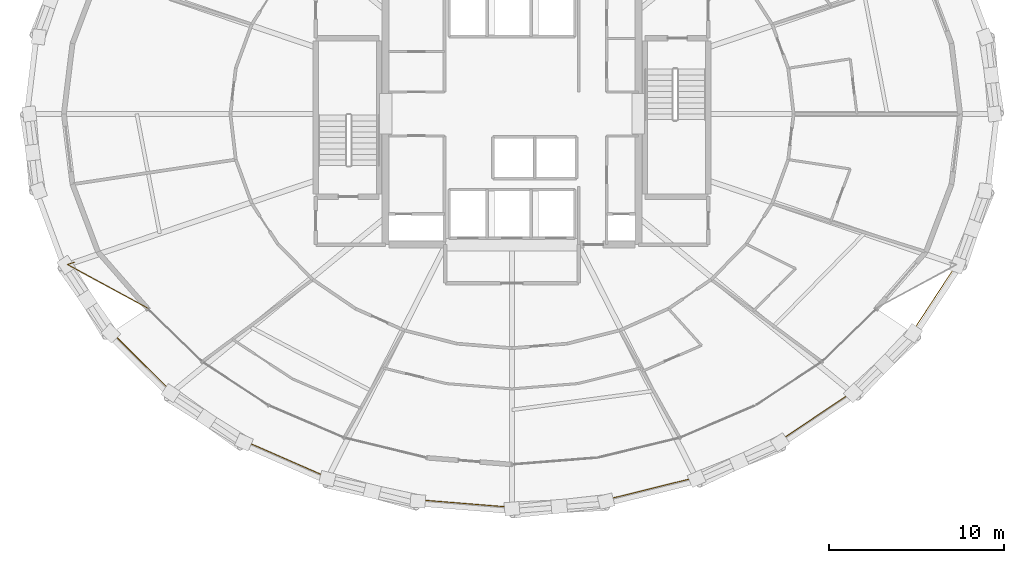
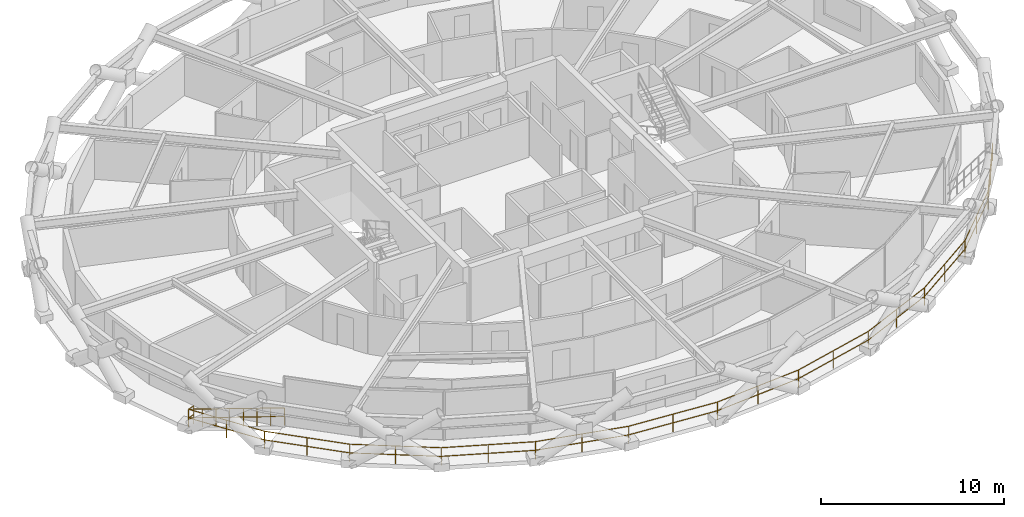
# One storey, part 16 of 17: 2 railings.
"""IFC4 building model written with IfcOpenShell, lengths in metres."""

from ifc_helpers import new_model, si_unit, direction, frame, origin, origin_2d, place, context, subcontext, project, spatial, circle, extrude, material, type_object, element, save


model = new_model("IFC4")

# Units and contexts
model_context = context("Model", 3, precision=1e-05, world=origin(), true_north=direction((0.0, 1.0)))
body_context = subcontext(model_context, "Body", "Model", "MODEL_VIEW")
ifc_project = project(units=[si_unit("LENGTHUNIT", "METRE"), si_unit("AREAUNIT", "SQUARE_METRE"), si_unit("VOLUMEUNIT", "CUBIC_METRE"), si_unit("PLANEANGLEUNIT", "RADIAN"), si_unit("MASSUNIT", "GRAM", prefix="KILO")], contexts=[model_context])

# Site, building, storey
site_placement = place(None, origin())
site = spatial("IfcSite", under=ifc_project, at=site_placement, CompositionType="ELEMENT")
building_placement = place(site_placement, origin())
building = spatial("IfcBuilding", under=site, at=building_placement, Name="Veldorina Hangang Commons", CompositionType="ELEMENT")
storey_placement = place(building_placement, frame((0.0, 0.0, 30.39990234375)))
storey = spatial("IfcBuildingStorey", under=building, at=storey_placement, Name="L06", CompositionType="ELEMENT", Elevation=30.39990234375)

# Railings
ifc_material = material(Name="Glass Laminated Safety Balustrade", Category="glass")
railing_type = type_object("IfcRailingType", Name="RL-BAL-LOGGIA", PredefinedType="BALUSTRADE", material=ifc_material)
railing_1_placement = place(storey_placement, frame((7.06689453125, 15.550048828125, 0.0)))
element("IfcRailing", 1, at=railing_1_placement, inside=storey, type_object=railing_type, Name="L06 sky-garden loggia end balustrade A", PredefinedType="BALUSTRADE", context=body_context, shape_type="SweptSolid", body=[
    extrude(circle(Radius=0.02392578125, at=origin_2d()), frame((0.0, 0.0, 1.17578125), z_axis=(-0.947101827143, -0.320933215828, 0.0), x_axis=(0.320933215828, -0.947101827143, 0.0)), (0.0, 0.0, 1.0), 0.419921875),
    extrude(circle(Radius=0.02392578125, at=origin_2d()), frame((0.0, 0.0, 0.60009765625), z_axis=(-0.947101827143, -0.320933215828, 0.0), x_axis=(0.320933215828, -0.947101827143, 0.0)), (0.0, 0.0, 1.0), 0.419921875),
    extrude(circle(Radius=0.02392578125, at=origin_2d()), frame((-0.397705078125, -0.134765625, 1.17578125), z_axis=(0.878721986398, -0.477333919411, 0.0), x_axis=(0.477333919411, 0.878721986398, 0.0)), (0.0, 0.0, 1.0), 5.230224609375),
    extrude(circle(Radius=0.02392578125, at=origin_2d()), frame((-0.397705078125, -0.134765625, 0.60009765625), z_axis=(0.878721986398, -0.477333919411, 0.0), x_axis=(0.477333919411, 0.878721986398, 0.0)), (0.0, 0.0, 1.0), 5.230224609375),
    extrude(circle(Radius=0.02099609375, at=origin_2d()), origin(), (0.0, 0.0, 1.0), 1.15185546875),
    extrude(circle(Radius=0.02099609375, at=origin_2d()), frame((-0.397705078125, -0.134765625, 0.0)), (0.0, 0.0, 1.0), 1.15185546875),
    extrude(circle(Radius=0.02099609375, at=origin_2d()), frame((0.2587890625, -0.491455078125, 0.0)), (0.0, 0.0, 1.0), 1.15185546875),
    extrude(circle(Radius=0.02099609375, at=origin_2d()), frame((0.91552734375, -0.84814453125, 0.0)), (0.0, 0.0, 1.0), 1.15185546875),
    extrude(circle(Radius=0.02099609375, at=origin_2d()), frame((1.572021484375, -1.204833984375, 0.0)), (0.0, 0.0, 1.0), 1.15185546875),
    extrude(circle(Radius=0.02099609375, at=origin_2d()), frame((2.228515625, -1.561279296875, 0.0)), (0.0, 0.0, 1.0), 1.15185546875),
    extrude(circle(Radius=0.02099609375, at=origin_2d()), frame((2.885009765625, -1.91796875, 0.0)), (0.0, 0.0, 1.0), 1.15185546875),
    extrude(circle(Radius=0.02099609375, at=origin_2d()), frame((3.541748046875, -2.274658203125, 0.0)), (0.0, 0.0, 1.0), 1.15185546875),
    extrude(circle(Radius=0.02099609375, at=origin_2d()), frame((4.1982421875, -2.63134765625, 0.0)), (0.0, 0.0, 1.0), 1.15185546875),
])
railing_2_placement = place(storey_placement, frame((6.669189453125, 15.415283203125, 0.0)))
element("IfcRailing", 2, at=railing_2_placement, inside=storey, type_object=railing_type, Name="L06 sky-garden loggia outer balustrade", PredefinedType="BALUSTRADE", context=body_context, shape_type="SweptSolid", body=[
    extrude(circle(Radius=0.02392578125, at=origin_2d()), frame((0.0, 0.0, 1.17578125), z_axis=(0.54733313274, -0.836914835455, 0.0), x_axis=(0.836914835455, 0.54733313274, 0.0)), (0.0, 0.0, 1.0), 4.6328125),
    extrude(circle(Radius=0.02392578125, at=origin_2d()), frame((0.0, 0.0, 0.60009765625), z_axis=(0.54733313274, -0.836914835455, 0.0), x_axis=(0.836914835455, 0.54733313274, 0.0)), (0.0, 0.0, 1.0), 4.6328125),
    extrude(circle(Radius=0.02392578125, at=origin_2d()), frame((2.53564453125, -3.877197265625, 1.17578125), z_axis=(0.708601100728, -0.705609297025, 0.0), x_axis=(0.705609297025, 0.708601100728, 0.0)), (0.0, 0.0, 1.0), 4.814697265625),
    extrude(circle(Radius=0.02392578125, at=origin_2d()), frame((2.53564453125, -3.877197265625, 0.60009765625), z_axis=(0.708601100728, -0.705609297025, 0.0), x_axis=(0.705609297025, 0.708601100728, 0.0)), (0.0, 0.0, 1.0), 4.814697265625),
    extrude(circle(Radius=0.02392578125, at=origin_2d()), frame((5.947265625, -7.2744140625, 1.17578125), z_axis=(0.830553550442, -0.556938775674, 0.0), x_axis=(0.556938775674, 0.830553550442, 0.0)), (0.0, 0.0, 1.0), 5.00390625),
    extrude(circle(Radius=0.02392578125, at=origin_2d()), frame((5.947265625, -7.2744140625, 0.60009765625), z_axis=(0.830553550442, -0.556938775674, 0.0), x_axis=(0.556938775674, 0.830553550442, 0.0)), (0.0, 0.0, 1.0), 5.00390625),
    extrude(circle(Radius=0.02392578125, at=origin_2d()), frame((10.103271484375, -10.061279296875, 1.17578125), z_axis=(0.916427971173, -0.40019966723, 0.0), x_axis=(0.40019966723, 0.916427971173, 0.0)), (0.0, 0.0, 1.0), 5.171875),
    extrude(circle(Radius=0.02392578125, at=origin_2d()), frame((10.103271484375, -10.061279296875, 0.60009765625), z_axis=(0.916427971173, -0.40019966723, 0.0), x_axis=(0.40019966723, 0.916427971173, 0.0)), (0.0, 0.0, 1.0), 5.171875),
    extrude(circle(Radius=0.02392578125, at=origin_2d()), frame((14.843017578125, -12.131103515625, 1.17578125), z_axis=(0.970639296272, -0.240539719242, 0.0), x_axis=(0.240539719242, 0.970639296272, 0.0)), (0.0, 0.0, 1.0), 5.297119140625),
    extrude(circle(Radius=0.02392578125, at=origin_2d()), frame((14.843017578125, -12.131103515625, 0.60009765625), z_axis=(0.970639296272, -0.240539719242, 0.0), x_axis=(0.240539719242, 0.970639296272, 0.0)), (0.0, 0.0, 1.0), 5.297119140625),
    extrude(circle(Radius=0.02392578125, at=origin_2d()), frame((19.984619140625, -13.4052734375, 1.17578125), z_axis=(0.996782048005, -0.080159520803, 0.0), x_axis=(0.080159520803, 0.996782048005, 0.0)), (0.0, 0.0, 1.0), 5.363525390625),
    extrude(circle(Radius=0.02392578125, at=origin_2d()), frame((19.984619140625, -13.4052734375, 0.60009765625), z_axis=(0.996782048005, -0.080159520803, 0.0), x_axis=(0.080159520803, 0.996782048005, 0.0)), (0.0, 0.0, 1.0), 5.363525390625),
    extrude(circle(Radius=0.02392578125, at=origin_2d()), frame((25.330810546875, -13.835205078125, 1.17578125), z_axis=(0.996782048005, 0.080159520803, 0.0), x_axis=(-0.080159520803, 0.996782048005, 0.0)), (0.0, 0.0, 1.0), 5.363525390625),
    extrude(circle(Radius=0.02392578125, at=origin_2d()), frame((25.330810546875, -13.835205078125, 0.60009765625), z_axis=(0.996782048005, 0.080159520803, 0.0), x_axis=(-0.080159520803, 0.996782048005, 0.0)), (0.0, 0.0, 1.0), 5.363525390625),
    extrude(circle(Radius=0.02392578125, at=origin_2d()), frame((30.677001953125, -13.4052734375, 1.17578125), z_axis=(0.970639296272, 0.240539719242, 0.0), x_axis=(-0.240539719242, 0.970639296272, 0.0)), (0.0, 0.0, 1.0), 5.297119140625),
    extrude(circle(Radius=0.02392578125, at=origin_2d()), frame((30.677001953125, -13.4052734375, 0.60009765625), z_axis=(0.970639296272, 0.240539719242, 0.0), x_axis=(-0.240539719242, 0.970639296272, 0.0)), (0.0, 0.0, 1.0), 5.297119140625),
    extrude(circle(Radius=0.02392578125, at=origin_2d()), frame((35.818603515625, -12.131103515625, 1.17578125), z_axis=(0.916427971173, 0.40019966723, 0.0), x_axis=(-0.40019966723, 0.916427971173, 0.0)), (0.0, 0.0, 1.0), 5.171875),
    extrude(circle(Radius=0.02392578125, at=origin_2d()), frame((35.818603515625, -12.131103515625, 0.60009765625), z_axis=(0.916427971173, 0.40019966723, 0.0), x_axis=(-0.40019966723, 0.916427971173, 0.0)), (0.0, 0.0, 1.0), 5.171875),
    extrude(circle(Radius=0.02392578125, at=origin_2d()), frame((40.558349609375, -10.061279296875, 1.17578125), z_axis=(0.830553550442, 0.556938775674, 0.0), x_axis=(-0.556938775674, 0.830553550442, 0.0)), (0.0, 0.0, 1.0), 5.00390625),
    extrude(circle(Radius=0.02392578125, at=origin_2d()), frame((40.558349609375, -10.061279296875, 0.60009765625), z_axis=(0.830553550442, 0.556938775674, 0.0), x_axis=(-0.556938775674, 0.830553550442, 0.0)), (0.0, 0.0, 1.0), 5.00390625),
    extrude(circle(Radius=0.02392578125, at=origin_2d()), frame((44.71435546875, -7.2744140625, 1.17578125), z_axis=(0.708601100728, 0.705609297025, 0.0), x_axis=(-0.705609297025, 0.708601100728, 0.0)), (0.0, 0.0, 1.0), 4.814697265625),
    extrude(circle(Radius=0.02392578125, at=origin_2d()), frame((44.71435546875, -7.2744140625, 0.60009765625), z_axis=(0.708601100728, 0.705609297025, 0.0), x_axis=(-0.705609297025, 0.708601100728, 0.0)), (0.0, 0.0, 1.0), 4.814697265625),
    extrude(circle(Radius=0.02392578125, at=origin_2d()), frame((48.1259765625, -3.877197265625, 1.17578125), z_axis=(0.54733313274, 0.836914835455, 0.0), x_axis=(-0.836914835455, 0.54733313274, 0.0)), (0.0, 0.0, 1.0), 4.6328125),
    extrude(circle(Radius=0.02392578125, at=origin_2d()), frame((48.1259765625, -3.877197265625, 0.60009765625), z_axis=(0.54733313274, 0.836914835455, 0.0), x_axis=(-0.836914835455, 0.54733313274, 0.0)), (0.0, 0.0, 1.0), 4.6328125),
    extrude(circle(Radius=0.02099609375, at=origin_2d()), origin(), (0.0, 0.0, 1.0), 1.15185546875),
    extrude(circle(Radius=0.02099609375, at=origin_2d()), frame((1.267822265625, -1.9384765625, 0.0)), (0.0, 0.0, 1.0), 1.15185546875),
    extrude(circle(Radius=0.02099609375, at=origin_2d()), frame((2.53564453125, -3.877197265625, 0.0)), (0.0, 0.0, 1.0), 1.15185546875),
    extrude(circle(Radius=0.02099609375, at=origin_2d()), frame((4.241455078125, -5.57568359375, 0.0)), (0.0, 0.0, 1.0), 1.15185546875),
    extrude(circle(Radius=0.02099609375, at=origin_2d()), frame((5.947265625, -7.2744140625, 0.0)), (0.0, 0.0, 1.0), 1.15185546875),
    extrude(circle(Radius=0.02099609375, at=origin_2d()), frame((8.025390625, -8.66796875, 0.0)), (0.0, 0.0, 1.0), 1.15185546875),
    extrude(circle(Radius=0.02099609375, at=origin_2d()), frame((10.103271484375, -10.061279296875, 0.0)), (0.0, 0.0, 1.0), 1.15185546875),
    extrude(circle(Radius=0.02099609375, at=origin_2d()), frame((12.47314453125, -11.09619140625, 0.0)), (0.0, 0.0, 1.0), 1.15185546875),
    extrude(circle(Radius=0.02099609375, at=origin_2d()), frame((14.843017578125, -12.131103515625, 0.0)), (0.0, 0.0, 1.0), 1.15185546875),
    extrude(circle(Radius=0.02099609375, at=origin_2d()), frame((17.413818359375, -12.76806640625, 0.0)), (0.0, 0.0, 1.0), 1.15185546875),
    extrude(circle(Radius=0.02099609375, at=origin_2d()), frame((19.984619140625, -13.4052734375, 0.0)), (0.0, 0.0, 1.0), 1.15185546875),
    extrude(circle(Radius=0.02099609375, at=origin_2d()), frame((22.65771484375, -13.6201171875, 0.0)), (0.0, 0.0, 1.0), 1.15185546875),
    extrude(circle(Radius=0.02099609375, at=origin_2d()), frame((25.330810546875, -13.835205078125, 0.0)), (0.0, 0.0, 1.0), 1.15185546875),
    extrude(circle(Radius=0.02099609375, at=origin_2d()), frame((28.00390625, -13.6201171875, 0.0)), (0.0, 0.0, 1.0), 1.15185546875),
    extrude(circle(Radius=0.02099609375, at=origin_2d()), frame((30.677001953125, -13.4052734375, 0.0)), (0.0, 0.0, 1.0), 1.15185546875),
    extrude(circle(Radius=0.02099609375, at=origin_2d()), frame((33.247802734375, -12.76806640625, 0.0)), (0.0, 0.0, 1.0), 1.15185546875),
    extrude(circle(Radius=0.02099609375, at=origin_2d()), frame((35.818603515625, -12.131103515625, 0.0)), (0.0, 0.0, 1.0), 1.15185546875),
    extrude(circle(Radius=0.02099609375, at=origin_2d()), frame((38.1884765625, -11.09619140625, 0.0)), (0.0, 0.0, 1.0), 1.15185546875),
    extrude(circle(Radius=0.02099609375, at=origin_2d()), frame((40.558349609375, -10.061279296875, 0.0)), (0.0, 0.0, 1.0), 1.15185546875),
    extrude(circle(Radius=0.02099609375, at=origin_2d()), frame((42.63623046875, -8.66796875, 0.0)), (0.0, 0.0, 1.0), 1.15185546875),
    extrude(circle(Radius=0.02099609375, at=origin_2d()), frame((44.71435546875, -7.2744140625, 0.0)), (0.0, 0.0, 1.0), 1.15185546875),
    extrude(circle(Radius=0.02099609375, at=origin_2d()), frame((46.420166015625, -5.57568359375, 0.0)), (0.0, 0.0, 1.0), 1.15185546875),
    extrude(circle(Radius=0.02099609375, at=origin_2d()), frame((48.1259765625, -3.877197265625, 0.0)), (0.0, 0.0, 1.0), 1.15185546875),
    extrude(circle(Radius=0.02099609375, at=origin_2d()), frame((49.393798828125, -1.9384765625, 0.0)), (0.0, 0.0, 1.0), 1.15185546875),
    extrude(circle(Radius=0.02099609375, at=origin_2d()), frame((50.66162109375, 0.0, 0.0)), (0.0, 0.0, 1.0), 1.15185546875),
])

save(model, "model.ifc")
